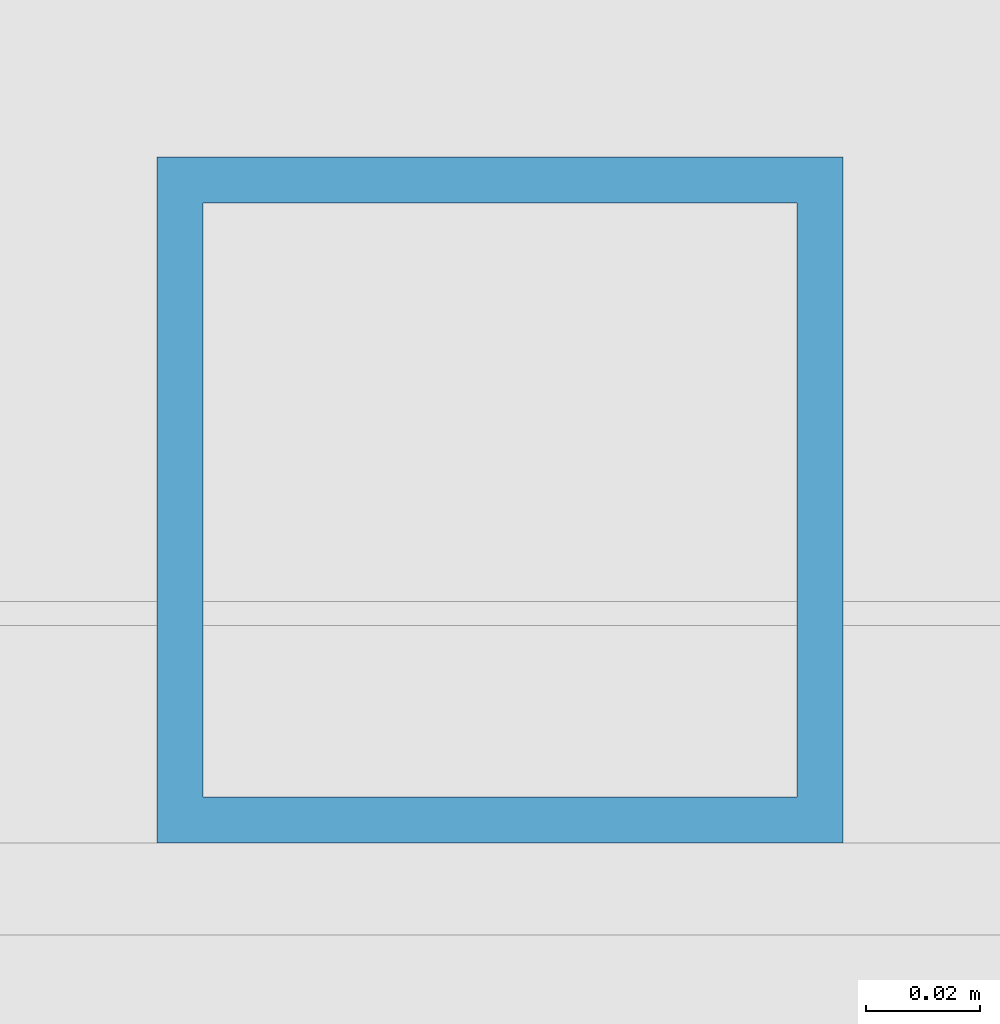
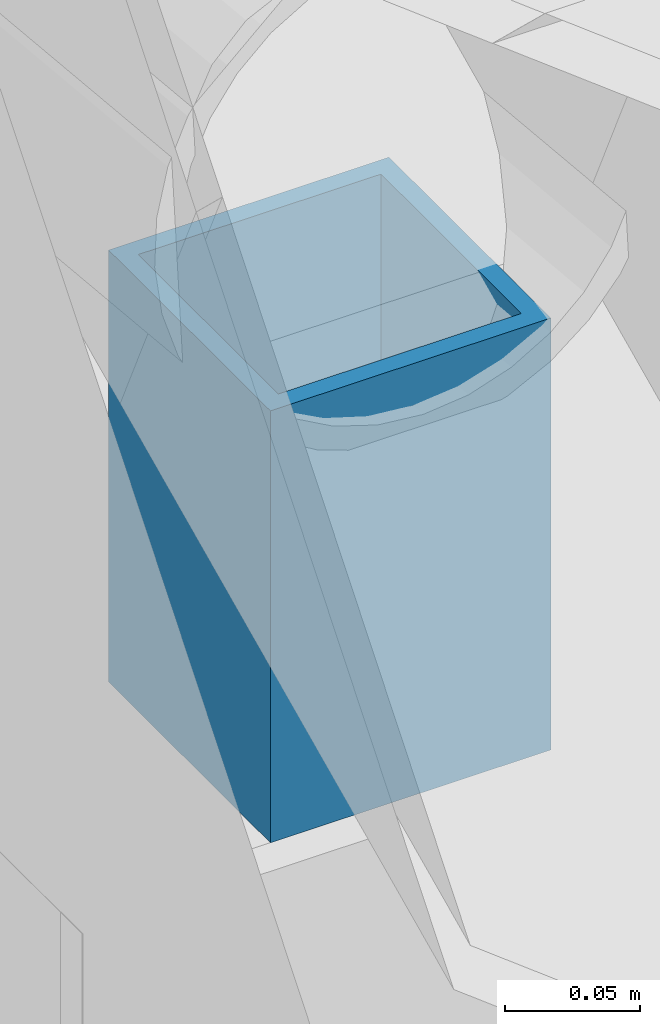
# One storey, part 78 of 154: 1 member.
"""IFC4 building model written with IfcOpenShell, lengths in metres."""

from ifc_helpers import new_model, si_unit, direction, frame, origin, origin_2d, place, context, subcontext, project, spatial, hollow_rectangle, extrude, material, material_profile, profile_set, type_object, element, save


model = new_model("IFC4")

# Units and contexts
model_context = context("Model", 3, precision=1e-05, world=origin(), true_north=direction((0.0, 1.0)))
body_context = subcontext(model_context, "Body", "Model", "MODEL_VIEW")
ifc_project = project(units=[si_unit("LENGTHUNIT", "METRE"), si_unit("AREAUNIT", "SQUARE_METRE"), si_unit("VOLUMEUNIT", "CUBIC_METRE"), si_unit("PLANEANGLEUNIT", "RADIAN"), si_unit("MASSUNIT", "GRAM", prefix="KILO")], contexts=[model_context])

# Site, building, storey
site_placement = place(None, origin())
site = spatial("IfcSite", under=ifc_project, at=site_placement, CompositionType="ELEMENT")
building_placement = place(site_placement, origin())
building = spatial("IfcBuilding", under=site, at=building_placement, Name="Golden Quay Civic Hall", CompositionType="ELEMENT")
storey_placement = place(building_placement, frame((0.0, 0.0, 14.39990234375)))
storey = spatial("IfcBuildingStorey", under=building, at=storey_placement, Name="L03", CompositionType="ELEMENT", Elevation=14.39990234375)

# Member
ifc_material = material(Name="Steel S355", Category="steel")
ifc_material_profile = material_profile(ifc_material, hollow_rectangle(XDim=0.1201171875, YDim=0.1201171875, WallThickness=0.008056640625, at=origin_2d()), Name="SHS 120x120x8")
ifc_profile_set = profile_set([ifc_material_profile], Name="Steel S355")
member_type = type_object("IfcMemberType", Name="Steel truss post SHS 120x120x8", PredefinedType="USERDEFINED", material=ifc_profile_set)
member_placement = place(storey_placement, frame((126.0, 63.06005859375, 0.050048828125), z_axis=(0.0, 0.0, 1.0), x_axis=(1.0, 0.0, 0.0)))
element("IfcMember", 1, at=member_placement, inside=storey, type_object=member_type, Name="Truss 126 post 1 L03", ObjectType="TRUSS POST", PredefinedType="USERDEFINED", context=body_context, shape_type="SweptSolid", body=[
    extrude(hollow_rectangle(XDim=0.1201171875, YDim=0.1201171875, WallThickness=0.008056640625, at=origin_2d()), origin(), (0.0, 0.0, 1.0), 0.195556640625),
])

save(model, "model.ifc")
